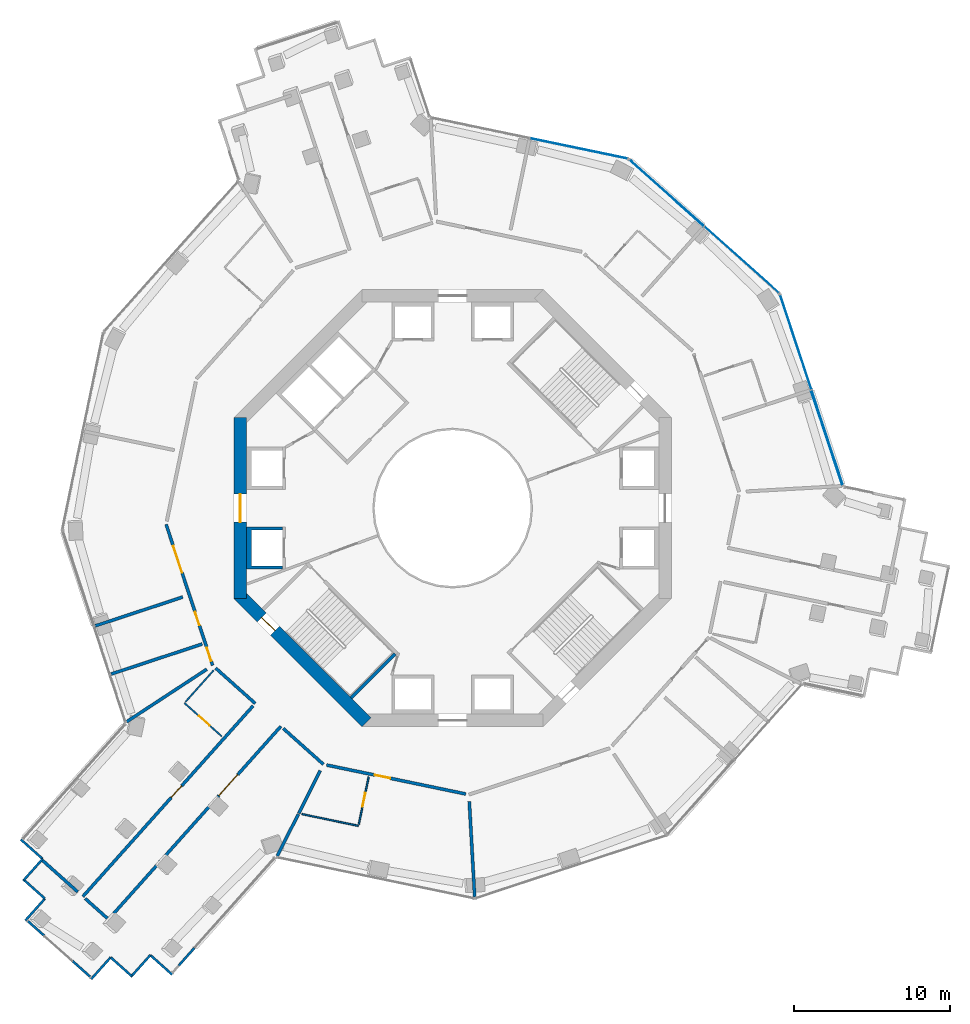
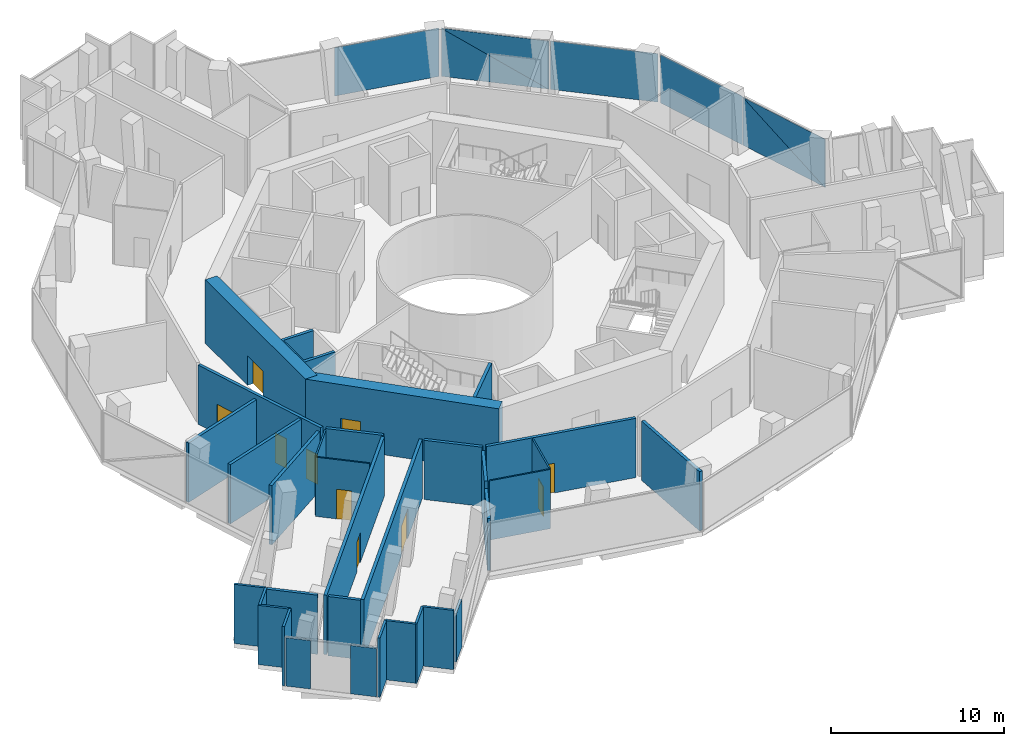
# One storey, part 14 of 21: 33 walls, 10 doors, 7 plates, 10 openings, 3 elements without a shape of their own.
"""IFC4 building model written with IfcOpenShell, lengths in metres."""

import ifcopenshell
import ifcopenshell.guid

model = None  # the IFC model being written
_history = None  # IfcOwnerHistory: only IFC2X3 demands one
_inside = {}  # id of a spatial element -> (the spatial element, [elements in it])
_under = {}  # id of a project, library or spatial element -> (it, [spatial elements below it])
_declared = {}  # id of a project -> (the project, [libraries it declares])
_typed = {}  # id of a type object -> (the type object, [elements of that type])
_made_of = {}  # id of a material, layer set ... -> (it, [elements and type objects made of it])


def new_model(schema):
    """Start an empty IFC model of exactly this schema.

    Asked for "IFC4X3", IfcOpenShell would pick the latest addendum, in which some entities
    have other attributes; the version numbers below select the first issue.
    IFC2X3 requires an IfcOwnerHistory on every rooted entity: one is made here for all.
    """
    global model, _history
    if schema == "IFC4X3":
        model = ifcopenshell.file(schema_version=(4, 3, 0, 0))
    else:
        model = ifcopenshell.file(schema=schema)
    _inside.clear()
    _under.clear()
    _declared.clear()
    _typed.clear()
    _made_of.clear()
    _history = None
    if model.schema == "IFC2X3":
        org = make("IfcOrganization", Name="unknown")
        user = make(
            "IfcPersonAndOrganization",
            ThePerson=make("IfcPerson", FamilyName="unknown"),
            TheOrganization=org,
        )
        app = make(
            "IfcApplication",
            ApplicationDeveloper=org,
            Version="unknown",
            ApplicationFullName="unknown",
            ApplicationIdentifier="unknown",
        )
        _history = make(
            "IfcOwnerHistory",
            OwningUser=user,
            OwningApplication=app,
            ChangeAction="ADDED",
            CreationDate=0,
        )
    return model


def make(cls, **values):
    """One entity of the class cls with the attributes given. An attribute that is None is left unset."""
    return model.create_entity(
        cls, **{name: value for name, value in values.items() if value is not None}
    )


def rooted(cls, **values):
    """An entity with a GlobalId (a new one), such as an element, a storey or a relation."""
    return make(cls, GlobalId=ifcopenshell.guid.new(), OwnerHistory=_history, **values)


def si_unit(unit_type, name, prefix=None):
    """IfcSIUnit, for example si_unit("LENGTHUNIT", "METRE", prefix="MILLI")."""
    return make("IfcSIUnit", UnitType=unit_type, Prefix=prefix, Name=name)


def assignment(units):
    """IfcUnitAssignment: the units of a project."""
    return None if units is None else make("IfcUnitAssignment", Units=units)


def point(xyz):
    """IfcCartesianPoint."""
    return None if xyz is None else make("IfcCartesianPoint", Coordinates=xyz)


def direction(xyz):
    """IfcDirection."""
    return None if xyz is None else make("IfcDirection", DirectionRatios=xyz)


def frame(location, z_axis=None, x_axis=None):
    """IfcAxis2Placement3D, a coordinate frame: its origin and axes. An axis left out is left unset."""
    return make(
        "IfcAxis2Placement3D",
        Location=point(location),
        Axis=direction(z_axis),
        RefDirection=direction(x_axis),
    )


def frame_2d(location, x_axis=None):
    """IfcAxis2Placement2D, a coordinate frame in the plane: its origin and x axis."""
    return make(
        "IfcAxis2Placement2D", Location=point(location), RefDirection=direction(x_axis)
    )


def origin():
    """The frame at (0, 0, 0) with its axes left unset."""
    return frame((0.0, 0.0, 0.0))


def origin_2d():
    """The frame at (0, 0) in the plane with its x axis left unset."""
    return frame_2d((0.0, 0.0))


def place(relative_to, where):
    """IfcLocalPlacement: puts the frame where relative to a parent placement (None: the world)."""
    return make(
        "IfcLocalPlacement", PlacementRelTo=relative_to, RelativePlacement=where
    )


def context(
    kind, dimensions, precision=None, world=None, true_north=None, identifier=None
):
    """IfcGeometricRepresentationContext, for example the 3D "Model" context."""
    return make(
        "IfcGeometricRepresentationContext",
        ContextIdentifier=identifier,
        ContextType=kind,
        CoordinateSpaceDimension=dimensions,
        Precision=precision,
        WorldCoordinateSystem=world,
        TrueNorth=true_north,
    )


def subcontext(parent, identifier, kind, view, scale=None):
    """IfcGeometricRepresentationSubContext, for example "Body" below "Model"."""
    return make(
        "IfcGeometricRepresentationSubContext",
        ContextIdentifier=identifier,
        ContextType=kind,
        ParentContext=parent,
        TargetScale=scale,
        TargetView=view,
    )


def project(units=None, contexts=None):
    """IfcProject with its units and contexts."""
    return rooted(
        "IfcProject",
        Name="project",
        RepresentationContexts=contexts,
        UnitsInContext=assignment(units),
    )


def spatial(cls, under=None, at=None, **own):
    """A site, building, storey or space (cls), placed at a placement, below another one or the project."""
    s = rooted(cls, ObjectPlacement=at, **own)
    if under is not None:
        _under.setdefault(under.id(), (under, []))[1].append(s)
    return s


def polyline(points):
    """IfcPolyline through the points."""
    return make("IfcPolyline", Points=[point(p) for p in points])


def profile(cls, at=None, kind="AREA", **sizes):
    """A parametric profile (cls). Its sizes go by their IFC names, for example OverallWidth=200.0."""
    return make(cls, ProfileType=kind, Position=at, **sizes)


def rectangle(**sizes):
    """IfcRectangleProfileDef."""
    return profile("IfcRectangleProfileDef", **sizes)


def outline(outer, holes=None, kind="AREA"):
    """IfcArbitraryClosedProfileDef: a profile drawn as a closed curve; with holes, ...WithVoids."""
    if holes is None:
        return make("IfcArbitraryClosedProfileDef", ProfileType=kind, OuterCurve=outer)
    return make(
        "IfcArbitraryProfileDefWithVoids",
        ProfileType=kind,
        OuterCurve=outer,
        InnerCurves=holes,
    )


def extrude(swept, where, along, depth):
    """IfcExtrudedAreaSolid: the profile swept, set in the frame where, extruded along a direction by depth."""
    return make(
        "IfcExtrudedAreaSolid",
        SweptArea=swept,
        Position=where,
        ExtrudedDirection=direction(along),
        Depth=depth,
    )


def shape(context_of_items, identifier, shape_type, items):
    """IfcShapeRepresentation: the items that make up one representation, for example the "Body"."""
    return make(
        "IfcShapeRepresentation",
        ContextOfItems=context_of_items,
        RepresentationIdentifier=identifier,
        RepresentationType=shape_type,
        Items=items,
    )


def material(Name=None, Category=None):
    """IfcMaterial."""
    return make("IfcMaterial", Name=Name, Category=Category)


def layer(
    of_material, thickness, ventilated=None, Name=None, Category=None, Priority=None
):
    """IfcMaterialLayer: one layer of a wall or slab, of a material (None: an air gap)."""
    return make(
        "IfcMaterialLayer",
        Material=of_material,
        LayerThickness=thickness,
        IsVentilated=ventilated,
        Name=Name,
        Category=Category,
        Priority=Priority,
    )


def layer_set(layers, Name=None):
    """IfcMaterialLayerSet."""
    return make("IfcMaterialLayerSet", MaterialLayers=layers, LayerSetName=Name)


def made_of(thing, what):
    """Note that an element or type object is made of a material, layer set ...; save() writes the relation."""
    if what is not None:
        _made_of.setdefault(what.id(), (what, []))[1].append(thing)
    return thing


def type_object(cls, material=None, **own):
    """A type object (cls), such as IfcWallType, which elements share."""
    return made_of(rooted(cls, **own), material)


def element(
    cls,
    number,
    at=None,
    inside=None,
    cuts=None,
    type_object=None,
    material=None,
    context=None,
    identifier="Body",
    shape_type=None,
    held_by="IfcProductDefinitionShape",
    body=None,
    shapes=None,
    **own,
):
    """One element of the class cls, such as IfcWall. Its Tag is "e" and its number.

    at: its placement. inside: the storey or other place that contains it. cuts: it is an
    opening in that element (IfcRelVoidsElement). A single representation is given by context,
    identifier, shape_type and body (its items); several are given by shapes. held_by: the class
    of the entity that holds the representations. save() writes the other relations.
    """
    e = rooted(cls, Tag="e%d" % number, ObjectPlacement=at, **own)
    if body is not None:
        shapes = [shape(context, identifier, shape_type, body)]
    if shapes is not None:
        e.Representation = make(held_by, Representations=shapes)
    if inside is not None:
        _inside.setdefault(inside.id(), (inside, []))[1].append(e)
    if cuts is not None:
        rooted(
            "IfcRelVoidsElement", RelatingBuildingElement=cuts, RelatedOpeningElement=e
        )
    if type_object is not None:
        _typed.setdefault(type_object.id(), (type_object, []))[1].append(e)
    return made_of(e, material)


def fill(opening, filler):
    """IfcRelFillsElement: the door or window that sits in an opening."""
    return rooted(
        "IfcRelFillsElement",
        RelatingOpeningElement=opening,
        RelatedBuildingElement=filler,
    )


def aggregate(whole, parts):
    """IfcRelAggregates: a whole, such as a stair, and the parts it consists of."""
    return rooted("IfcRelAggregates", RelatingObject=whole, RelatedObjects=parts)


def save(model, path):
    """Write the relations noted so far, then the file.

    IfcRelAggregates (storeys below a building ...), IfcRelContainedInSpatialStructure (elements
    in a storey), IfcRelDefinesByType, IfcRelAssociatesMaterial and IfcRelDeclares: one each for
    every whole, place, type object, material and project.
    """
    for whole, parts in _under.values():
        aggregate(whole, parts)
    for where, things in _inside.values():
        rooted(
            "IfcRelContainedInSpatialStructure",
            RelatedElements=things,
            RelatingStructure=where,
        )
    for kind, things in _typed.values():
        rooted("IfcRelDefinesByType", RelatedObjects=things, RelatingType=kind)
    for what, things in _made_of.values():
        rooted("IfcRelAssociatesMaterial", RelatedObjects=things, RelatingMaterial=what)
    for by, libraries in _declared.values():
        rooted("IfcRelDeclares", RelatingContext=by, RelatedDefinitions=libraries)
    model.write(path)


model = new_model("IFC4")

# Units and contexts
model_context = context("Model", 3, precision=1e-05, world=origin(), true_north=direction((0.0, 1.0)))
body_context = subcontext(model_context, "Body", "Model", "MODEL_VIEW")
ifc_project = project(units=[si_unit("LENGTHUNIT", "METRE"), si_unit("AREAUNIT", "SQUARE_METRE"), si_unit("VOLUMEUNIT", "CUBIC_METRE"), si_unit("PLANEANGLEUNIT", "RADIAN"), si_unit("MASSUNIT", "GRAM", prefix="KILO")], contexts=[model_context])

# Site, building, storey
site_placement = place(None, origin())
site = spatial("IfcSite", under=ifc_project, at=site_placement, CompositionType="ELEMENT")
building_placement = place(site_placement, origin())
building = spatial("IfcBuilding", under=site, at=building_placement, Name="Verdalira Terraces Hotel", CompositionType="ELEMENT")
storey_placement = place(building_placement, frame((0.0, 0.0, 107.0)))
storey = spatial("IfcBuildingStorey", under=building, at=storey_placement, Name="L25", CompositionType="ELEMENT", Elevation=107.0)

# Curtain wall, plates
ifc_material_1 = material(Name="Clear glass", Category="glass")
ifc_layer_1 = layer(ifc_material_1, 0.179931640625)
ifc_layer_set_1 = layer_set([ifc_layer_1], Name="CW4 curtain wall")
curtain_wall_type = type_object("IfcCurtainWallType", Name="CW4 curtain wall", PredefinedType="NOTDEFINED", material=ifc_layer_set_1)
curtain_wall_1_placement = place(storey_placement, origin())
curtain_wall_1 = element("IfcCurtainWall", 1, at=curtain_wall_1_placement, inside=storey, type_object=curtain_wall_type, Name="CW4 curtain wall L25 edge 39", PredefinedType="NOTDEFINED")
ifc_material_2 = material(Name="Clear glass", Category="glass")
ifc_layer_2 = layer(ifc_material_2, 0.035888671875)
ifc_layer_set_2 = layer_set([ifc_layer_2], Name="CW4 glass unit 36")
plate_type = type_object("IfcPlateType", Name="CW4 glass unit 36", PredefinedType="CURTAIN_PANEL", material=ifc_layer_set_2)
plate_1_placement = place(storey_placement, frame((23.974854, 4.505371, 1.709961), z_axis=(0.949753769, 0.312998048, 0.0), x_axis=(-0.312998048, 0.949753769, 0.0)))
plate_1 = element("IfcPlate", 2, at=plate_1_placement, type_object=plate_type, Name="CW4 glass unit", PredefinedType="CURTAIN_PANEL", context=body_context, shape_type="SweptSolid", body=[
    extrude(outline(polyline([(-3.192627, -1.709961), (3.192627, -1.709961), (3.192627, 1.709961), (-3.192627, -1.709961)])), origin(), (0.0, 0.0, 1.0), 0.035889),
])
plate_2_placement = place(storey_placement, frame((23.939697, 4.493652, 1.709961), z_axis=(0.949753769, 0.312998048, 0.0), x_axis=(-0.312998048, 0.949753769, 0.0)))
plate_2 = element("IfcPlate", 3, at=plate_2_placement, type_object=plate_type, Name="CW4 glass unit", PredefinedType="CURTAIN_PANEL", context=body_context, shape_type="SweptSolid", body=[
    extrude(outline(polyline([(-3.192627, -1.709961), (3.192627, 1.709961), (-3.192627, 1.709961), (-3.192627, -1.709961)])), origin(), (0.0, 0.0, 1.0), 0.035889),
])
plate_3_placement = place(storey_placement, frame((21.976562, 10.626221, 0.0), z_axis=(0.0, 0.0, 1.0), x_axis=(-0.312998048, 0.949753769, 0.0)))
plate_3 = element("IfcPlate", 4, at=plate_3_placement, type_object=plate_type, Name="CW4 glass unit", PredefinedType="CURTAIN_PANEL", context=body_context, shape_type="SweptSolid", body=[
    extrude(rectangle(XDim=6.362305, YDim=0.035889, at=origin_2d()), origin(), (0.0, 0.0, 1.0), 3.419922),
])
aggregate(curtain_wall_1, [plate_1, plate_2, plate_3])

curtain_wall_2_placement = place(storey_placement, origin())
curtain_wall_2 = element("IfcCurtainWall", 5, at=curtain_wall_2_placement, inside=storey, type_object=curtain_wall_type, Name="CW4 curtain wall L25 edge 40", PredefinedType="NOTDEFINED")
plate_4_placement = place(storey_placement, frame((18.513672, 15.910156, 0.0), z_axis=(0.0, 0.0, 1.0), x_axis=(-0.745941145, 0.666011867, 0.0)))
plate_4 = element("IfcPlate", 6, at=plate_4_placement, type_object=plate_type, Name="CW4 glass unit", PredefinedType="CURTAIN_PANEL", context=body_context, shape_type="SweptSolid", body=[
    extrude(rectangle(XDim=6.362305, YDim=0.035889, at=origin_2d()), origin(), (0.0, 0.0, 1.0), 3.419922),
])
plate_5_placement = place(storey_placement, frame((13.707275, 20.17749, 1.709961), z_axis=(0.666011867, 0.745941145, 0.0), x_axis=(-0.745941145, 0.666011867, 0.0)))
plate_5 = element("IfcPlate", 7, at=plate_5_placement, type_object=plate_type, Name="CW4 glass unit", PredefinedType="CURTAIN_PANEL", context=body_context, shape_type="SweptSolid", body=[
    extrude(outline(polyline([(-3.181152, -1.709961), (3.181152, -1.709961), (3.181152, 1.709961), (-3.181152, -1.709961)])), origin(), (0.0, 0.0, 1.0), 0.035889),
])
plate_6_placement = place(storey_placement, frame((13.682617, 20.149902, 1.709961), z_axis=(0.666011867, 0.745941145, 0.0), x_axis=(-0.745941145, 0.666011867, 0.0)))
plate_6 = element("IfcPlate", 8, at=plate_6_placement, type_object=plate_type, Name="CW4 glass unit", PredefinedType="CURTAIN_PANEL", context=body_context, shape_type="SweptSolid", body=[
    extrude(outline(polyline([(-3.181152, -1.709961), (3.181152, 1.709961), (-3.181152, 1.709961), (-3.181152, -1.709961)])), origin(), (0.0, 0.0, 1.0), 0.035889),
])
aggregate(curtain_wall_2, [plate_4, plate_5, plate_6])

# Curtain wall, plate
curtain_wall_3_placement = place(storey_placement, origin())
curtain_wall_3 = element("IfcCurtainWall", 9, at=curtain_wall_3_placement, inside=storey, type_object=curtain_wall_type, Name="CW4 curtain wall L25 edge 41", PredefinedType="NOTDEFINED")
plate_7_placement = place(storey_placement, frame((8.078125, 23.0354, 0.0), z_axis=(0.0, 0.0, 1.0), x_axis=(-0.979009915, 0.203812624, 0.0)))
plate_7 = element("IfcPlate", 10, at=plate_7_placement, type_object=plate_type, Name="CW4 glass unit", PredefinedType="CURTAIN_PANEL", context=body_context, shape_type="SweptSolid", body=[
    extrude(rectangle(XDim=6.362305, YDim=0.035889, at=origin_2d()), origin(), (0.0, 0.0, 1.0), 3.419922),
])
aggregate(curtain_wall_3, [plate_7])

# Wall
ifc_material_3 = material(Name="Moisture-resistant gypsum board partition")
ifc_layer_3 = layer(ifc_material_3, 0.10009765625)
ifc_layer_set_3 = layer_set([ifc_layer_3], Name="Bathroom partition 100 mm")
wall_type_1 = type_object("IfcWallType", Name="Bathroom partition 100 mm", PredefinedType="PARTITIONING", material=ifc_layer_set_3)
wall_1_placement = place(storey_placement, frame((-17.115479, -12.412842, 0.0), z_axis=(0.0, 0.0, 1.0), x_axis=(0.666012176, 0.74594087, 0.0)))
element("IfcWall", 11, at=wall_1_placement, inside=storey, type_object=wall_type_1, Name="Bathroom partition", PredefinedType="PARTITIONING", context=body_context, shape_type="SweptSolid", body=[
    extrude(rectangle(XDim=2.700195, YDim=0.100098, at=frame_2d((1.350098, 0.0))), origin(), (0.0, 0.0, 1.0), 4.189941),
])

# Wall, opening, door
wall_2_placement = place(storey_placement, frame((-17.181885, -12.487305, 0.0), z_axis=(0.0, 0.0, 1.0), x_axis=(0.745917356, -0.666038511, 0.0)))
wall_2 = element("IfcWall", 12, at=wall_2_placement, inside=storey, type_object=wall_type_1, Name="Bathroom partition", PredefinedType="PARTITIONING", context=body_context, shape_type="SweptSolid", body=[
    extrude(rectangle(XDim=3.199951, YDim=0.100098, at=frame_2d((1.600098, 0.0))), origin(), (0.0, 0.0, 1.0), 4.189941),
])
opening_1_placement = place(wall_2_placement, frame((1.25, 0.0, 0.0)))
opening_1 = element("IfcOpeningElement", 13, at=opening_1_placement, cuts=wall_2, Name="Opening L25-108", PredefinedType="OPENING", context=body_context, shape_type="SweptSolid", body=[
    extrude(rectangle(XDim=0.899902, YDim=2.100098, at=frame_2d((0.449951, 1.050049))), frame((0.0, 0.060059, 0.0), z_axis=(0.0, -1.0, 0.0), x_axis=(1.0, 0.0, 0.0)), (0.0, 0.0, 1.0), 0.120117),
])
ifc_material_4 = material(Name="Timber door", Category="wood")
door_type_1 = type_object("IfcDoorType", Name="Bathroom door 900 x 2100", OperationType="NOTDEFINED", PredefinedType="DOOR", material=ifc_material_4)
door_1_placement = place(opening_1_placement, origin())
door_1 = element("IfcDoor", 14, at=door_1_placement, inside=storey, type_object=door_type_1, Name="Bathroom door 2505", OperationType="SINGLE_SWING_LEFT", OverallHeight=2.10009765625, OverallWidth=0.89990234375, PredefinedType="DOOR", context=body_context, shape_type="SweptSolid", body=[
    extrude(rectangle(XDim=0.899902, YDim=2.100098, at=frame_2d((0.449951, 1.050049))), frame((0.0, 0.024902, 0.0), z_axis=(0.0, -1.0, 0.0), x_axis=(1.0, 0.0, 0.0)), (0.0, 0.0, 1.0), 0.050049),
])
fill(opening_1, door_1)

# Wall
wall_3_placement = place(storey_placement, frame((-6.033691, -20.355713, 0.0), z_axis=(0.0, 0.0, 1.0), x_axis=(-0.979011665, 0.203804219, 0.0)))
element("IfcWall", 15, at=wall_3_placement, inside=storey, type_object=wall_type_1, Name="Bathroom partition", PredefinedType="PARTITIONING", context=body_context, shape_type="SweptSolid", body=[
    extrude(rectangle(XDim=3.703857, YDim=0.100098, at=frame_2d((1.852051, 0.0))), origin(), (0.0, 0.0, 1.0), 4.189941),
])

# Wall, opening, door
wall_4_placement = place(storey_placement, frame((-6.013428, -20.257812, 0.0), z_axis=(0.0, 0.0, 1.0), x_axis=(0.203819018, 0.979008584, 0.0)))
wall_4 = element("IfcWall", 16, at=wall_4_placement, inside=storey, type_object=wall_type_1, Name="Bathroom partition", PredefinedType="PARTITIONING", context=body_context, shape_type="SweptSolid", body=[
    extrude(rectangle(XDim=3.100098, YDim=0.100098, at=frame_2d((1.550049, 0.0))), origin(), (0.0, 0.0, 1.0), 4.189941),
])
opening_2_placement = place(wall_4_placement, frame((1.149902, 0.0, 0.0)))
opening_2 = element("IfcOpeningElement", 17, at=opening_2_placement, cuts=wall_4, Name="Opening L25-111", PredefinedType="OPENING", context=body_context, shape_type="SweptSolid", body=[
    extrude(rectangle(XDim=0.899902, YDim=2.100098, at=frame_2d((0.449951, 1.050049))), frame((0.0, 0.060059, 0.0), z_axis=(0.0, -1.0, 0.0), x_axis=(1.0, 0.0, 0.0)), (0.0, 0.0, 1.0), 0.120117),
])
door_2_placement = place(opening_2_placement, origin())
door_2 = element("IfcDoor", 18, at=door_2_placement, inside=storey, type_object=door_type_1, Name="Bathroom door 2507", OperationType="SINGLE_SWING_LEFT", OverallHeight=2.10009765625, OverallWidth=0.89990234375, PredefinedType="DOOR", context=body_context, shape_type="SweptSolid", body=[
    extrude(rectangle(XDim=0.899902, YDim=2.100098, at=frame_2d((0.449951, 1.050049))), frame((0.0, 0.024902, 0.0), z_axis=(0.0, -1.0, 0.0), x_axis=(1.0, 0.0, 0.0)), (0.0, 0.0, 1.0), 0.050049),
])
fill(opening_2, door_2)

# Walls
ifc_material_5 = material(Name="Concrete C50", Category="concrete")
ifc_layer_4 = layer(ifc_material_5, 0.199951171875)
ifc_layer_set_4 = layer_set([ifc_layer_4], Name="Core RC wall 200 C50")
wall_type_2 = type_object("IfcWallType", Name="Core RC wall 200 C50", PredefinedType="SOLIDWALL", material=ifc_layer_set_4)
wall_5_placement = place(storey_placement, origin())
element("IfcWall", 19, at=wall_5_placement, inside=storey, type_object=wall_type_2, Name="L25 shaft wall W2", PredefinedType="SOLIDWALL", context=body_context, shape_type="SweptSolid", body=[
    extrude(outline(polyline([(-13.199951, -3.899902), (-13.199951, -1.199951), (-10.899902, -1.199951), (-10.899902, -1.399902), (-12.899902, -1.399902), (-12.899902, -3.699951), (-10.899902, -3.699951), (-10.899902, -3.899902), (-13.199951, -3.899902)])), origin(), (0.0, 0.0, 1.0), 4.189941),
])
wall_6_placement = place(storey_placement, frame((-3.677002, -9.33374, 0.0), z_axis=(0.0, 0.0, 1.0), x_axis=(-0.707106781, -0.707106781, 0.0)))
element("IfcWall", 20, at=wall_6_placement, inside=storey, type_object=wall_type_2, Name="L25 stair ST2 end wall 2", PredefinedType="SOLIDWALL", context=body_context, shape_type="SweptSolid", body=[
    extrude(rectangle(XDim=4.0, YDim=0.199951, at=frame_2d((2.0, 0.0))), origin(), (0.0, 0.0, 1.0), 4.189941),
])

# Wall, opening, door
ifc_material_6 = material(Name="Concrete C70", Category="concrete")
ifc_layer_5 = layer(ifc_material_6, 0.800048828125)
ifc_layer_set_5 = layer_set([ifc_layer_5], Name="Core wall 800 C70")
wall_type_3 = type_object("IfcWallType", Name="Core wall 800 C70", PredefinedType="SHEAR", material=ifc_layer_set_5)
wall_7_placement = place(storey_placement, frame((-13.600098, 5.799072, 0.0), z_axis=(0.0, 0.0, 1.0), x_axis=(0.0, -1.0, 0.0)))
wall_7 = element("IfcWall", 21, at=wall_7_placement, inside=storey, type_object=wall_type_3, Name="Core wall CW-L25-5", PredefinedType="SHEAR", context=body_context, shape_type="SweptSolid", body=[
    extrude(rectangle(XDim=11.598145, YDim=0.800049, at=frame_2d((5.799072, 0.0))), origin(), (0.0, 0.0, 1.0), 4.5),
])
opening_3_placement = place(wall_7_placement, frame((4.898926, 0.0, 0.0)))
opening_3 = element("IfcOpeningElement", 22, at=opening_3_placement, cuts=wall_7, Name="Opening L25-814", PredefinedType="OPENING", context=body_context, shape_type="SweptSolid", body=[
    extrude(rectangle(XDim=1.800049, YDim=2.100098, at=frame_2d((0.899902, 1.050049))), frame((0.0, 0.409912, 0.0), z_axis=(0.0, -1.0, 0.0), x_axis=(1.0, 0.0, 0.0)), (0.0, 0.0, 1.0), 0.820068),
])
ifc_material_7 = material(Name="Steel fire door", Category="steel")
door_type_2 = type_object("IfcDoorType", Name="Core entry door pair 1800 x 2100", OperationType="NOTDEFINED", PredefinedType="DOOR", material=ifc_material_7)
door_3_placement = place(opening_3_placement, origin())
door_3 = element("IfcDoor", 23, at=door_3_placement, inside=storey, type_object=door_type_2, Name="Core entry door L25 4", OperationType="DOUBLE_DOOR_SINGLE_SWING", OverallHeight=2.10009765625, OverallWidth=1.800048828125, PredefinedType="DOOR", context=body_context, shape_type="SweptSolid", body=[
    extrude(rectangle(XDim=1.800049, YDim=2.100098, at=frame_2d((0.899902, 1.050049))), frame((0.0, 0.024902, 0.0), z_axis=(0.0, -1.0, 0.0), x_axis=(1.0, 0.0, 0.0)), (0.0, 0.0, 1.0), 0.050049),
])
fill(opening_3, door_3)

wall_8_placement = place(storey_placement, frame((-13.717285, -5.516113, 0.0), z_axis=(0.0, 0.0, 1.0), x_axis=(0.707106781, -0.707106781, 0.0)))
wall_8 = element("IfcWall", 24, at=wall_8_placement, inside=storey, type_object=wall_type_3, Name="Core wall CW-L25-6", PredefinedType="SHEAR", context=body_context, shape_type="SweptSolid", body=[
    extrude(rectangle(XDim=11.598145, YDim=0.800049, at=frame_2d((5.799072, 0.0))), origin(), (0.0, 0.0, 1.0), 4.5),
])
opening_4_placement = place(wall_8_placement, frame((2.099121, 0.0, 0.0)))
opening_4 = element("IfcOpeningElement", 25, at=opening_4_placement, cuts=wall_8, Name="Opening L25-817", PredefinedType="OPENING", context=body_context, shape_type="SweptSolid", body=[
    extrude(rectangle(XDim=1.199951, YDim=2.100098, at=frame_2d((0.600098, 1.050049))), frame((0.0, 0.409912, 0.0), z_axis=(0.0, -1.0, 0.0), x_axis=(1.0, 0.0, 0.0)), (0.0, 0.0, 1.0), 0.820068),
])
ifc_material_8 = material(Name="Steel fire door", Category="steel")
door_type_3 = type_object("IfcDoorType", Name="Stair door 1200 x 2100", OperationType="NOTDEFINED", PredefinedType="DOOR", material=ifc_material_8)
door_4_placement = place(opening_4_placement, origin())
door_4 = element("IfcDoor", 26, at=door_4_placement, inside=storey, type_object=door_type_3, Name="Stair exit door ST2 L25", OperationType="SINGLE_SWING_LEFT", OverallHeight=2.10009765625, OverallWidth=1.199951171875, PredefinedType="DOOR", context=body_context, shape_type="SweptSolid", body=[
    extrude(rectangle(XDim=1.199951, YDim=2.100098, at=frame_2d((0.600098, 1.050049))), frame((0.0, 0.024902, 0.0), z_axis=(0.0, -1.0, 0.0), x_axis=(1.0, 0.0, 0.0)), (0.0, 0.0, 1.0), 0.050049),
])
fill(opening_4, door_4)

# Walls
ifc_material_9 = material(Name="Fire-rated gypsum board wall")
ifc_layer_6 = layer(ifc_material_9, 0.199951171875)
ifc_layer_set_6 = layer_set([ifc_layer_6], Name="Demising wall 200 mm")
wall_type_4 = type_object("IfcWallType", Name="Demising wall 200 mm", PredefinedType="SOLIDWALL", material=ifc_layer_set_6)
wall_9_placement = place(storey_placement, frame((-26.260498, -22.580322, 0.0), z_axis=(0.0, 0.0, 1.0), x_axis=(0.745950636, -0.666001238, 0.0)))
element("IfcWall", 27, at=wall_9_placement, inside=storey, type_object=wall_type_4, Name="Demising wall", PredefinedType="SOLIDWALL", context=body_context, shape_type="SweptSolid", body=[
    extrude(rectangle(XDim=3.004883, YDim=0.199951, at=frame_2d((1.502441, 0.0))), origin(), (0.0, 0.0, 1.0), 4.189941),
])
wall_10_placement = place(storey_placement, frame((-8.479248, -16.815186, 0.0), z_axis=(0.0, 0.0, 1.0), x_axis=(-0.450228455, -0.892913399, 0.0)))
element("IfcWall", 28, at=wall_10_placement, inside=storey, type_object=wall_type_4, Name="Demising wall", PredefinedType="SOLIDWALL", context=body_context, shape_type="SweptSolid", body=[
    extrude(rectangle(XDim=3.074707, YDim=0.199951, at=frame_2d((1.537354, 0.0))), origin(), (0.0, 0.0, 1.0), 4.189941),
])
wall_11_placement = place(storey_placement, frame((1.410889, -24.924072, 0.0), z_axis=(0.0, 0.0, 1.0), x_axis=(-0.056497587, 0.998402736, 0.0)))
element("IfcWall", 29, at=wall_11_placement, inside=storey, type_object=wall_type_4, Name="Demising wall", PredefinedType="SOLIDWALL", context=body_context, shape_type="SweptSolid", body=[
    extrude(rectangle(XDim=6.131836, YDim=0.199951, at=frame_2d((3.065918, 0.0))), origin(), (0.0, 0.0, 1.0), 4.189941),
])
ifc_material_10 = material(Name="Fire-rated gypsum board wall")
ifc_layer_7 = layer(ifc_material_10, 0.199951171875)
ifc_layer_set_7 = layer_set([ifc_layer_7], Name="Demising wall 200 mm to beam soffit")
wall_type_5 = type_object("IfcWallType", Name="Demising wall 200 mm to beam soffit", PredefinedType="SOLIDWALL", material=ifc_layer_set_7)
wall_12_placement = place(storey_placement, frame((-9.884277, -19.601562, 0.0), z_axis=(0.0, 0.0, 1.0), x_axis=(-0.450291801, -0.892881456, 0.0)))
element("IfcWall", 30, at=wall_12_placement, inside=storey, type_object=wall_type_5, Name="Demising wall", PredefinedType="SOLIDWALL", context=body_context, shape_type="SweptSolid", body=[
    extrude(rectangle(XDim=3.01123, YDim=0.199951, at=frame_2d((1.505615, 0.0))), origin(), (0.0, 0.0, 1.0), 3.689941),
])
ifc_material_11 = material(Name="Fire-rated gypsum board wall")
ifc_layer_8 = layer(ifc_material_11, 0.199951171875)
ifc_layer_set_8 = layer_set([ifc_layer_8], Name="Guest corridor wall 200 mm")
wall_type_6 = type_object("IfcWallType", Name="Guest corridor wall 200 mm", PredefinedType="SOLIDWALL", material=ifc_layer_set_8)
wall_13_placement = place(storey_placement, frame((-23.539307, -25.01001, 0.0), z_axis=(0.0, 0.0, 1.0), x_axis=(0.745939942, -0.666013216, 0.0)))
element("IfcWall", 31, at=wall_13_placement, inside=storey, type_object=wall_type_6, Name="Guest corridor wall", PredefinedType="SOLIDWALL", context=body_context, shape_type="SweptSolid", body=[
    extrude(rectangle(XDim=1.899902, YDim=0.199951, at=frame_2d((0.949951, 0.0))), origin(), (0.0, 0.0, 1.0), 4.189941),
])

# Wall, opening, door
wall_14_placement = place(storey_placement, frame((-23.687012, -24.878174, 0.0), z_axis=(0.0, 0.0, 1.0), x_axis=(0.666012214, 0.745940836, 0.0)))
wall_14 = element("IfcWall", 32, at=wall_14_placement, inside=storey, type_object=wall_type_6, Name="Guest corridor wall", PredefinedType="SOLIDWALL", context=body_context, shape_type="SweptSolid", body=[
    extrude(rectangle(XDim=16.375, YDim=0.199951, at=frame_2d((8.1875, 0.0))), origin(), (0.0, 0.0, 1.0), 4.189941),
])
opening_5_placement = place(wall_14_placement, frame((8.5, 0.0, 0.0)))
opening_5 = element("IfcOpeningElement", 33, at=opening_5_placement, cuts=wall_14, Name="Opening L25-107", PredefinedType="OPENING", context=body_context, shape_type="SweptSolid", body=[
    extrude(rectangle(XDim=1.0, YDim=2.100098, at=frame_2d((0.5, 1.050049))), frame((0.0, 0.109863, 0.0), z_axis=(0.0, -1.0, 0.0), x_axis=(1.0, 0.0, 0.0)), (0.0, 0.0, 1.0), 0.219971),
])
ifc_material_12 = material(Name="Timber fire door", Category="wood")
door_type_4 = type_object("IfcDoorType", Name="Guest entry door 1000 x 2100", OperationType="NOTDEFINED", PredefinedType="DOOR", material=ifc_material_12)
door_5_placement = place(opening_5_placement, origin())
door_5 = element("IfcDoor", 34, at=door_5_placement, inside=storey, type_object=door_type_4, Name="Guest entry door 2505", OperationType="SINGLE_SWING_LEFT", OverallHeight=2.10009765625, OverallWidth=1.0, PredefinedType="DOOR", context=body_context, shape_type="SweptSolid", body=[
    extrude(rectangle(XDim=1.0, YDim=2.100098, at=frame_2d((0.5, 1.050049))), frame((0.0, 0.024902, 0.0), z_axis=(0.0, -1.0, 0.0), x_axis=(1.0, 0.0, 0.0)), (0.0, 0.0, 1.0), 0.050049),
])
fill(opening_5, door_5)

# Wall, openings, doors
wall_15_placement = place(storey_placement, frame((-15.376709, -10.077637, 0.0), z_axis=(0.0, 0.0, 1.0), x_axis=(-0.312993376, 0.949755309, 0.0)))
wall_15 = element("IfcWall", 35, at=wall_15_placement, inside=storey, type_object=wall_type_6, Name="Guest corridor wall", PredefinedType="SOLIDWALL", context=body_context, shape_type="SweptSolid", body=[
    extrude(rectangle(XDim=9.516113, YDim=0.199951, at=frame_2d((4.758057, 0.0))), origin(), (0.0, 0.0, 1.0), 4.189941),
])
opening_6_placement = place(wall_15_placement, frame((6.258301, 0.0, 0.0)))
opening_6 = element("IfcOpeningElement", 36, at=opening_6_placement, cuts=wall_15, Name="Opening L25-106", PredefinedType="OPENING", context=body_context, shape_type="SweptSolid", body=[
    extrude(rectangle(XDim=1.800049, YDim=2.100098, at=frame_2d((0.899902, 1.050049))), frame((0.0, 0.109863, 0.0), z_axis=(0.0, -1.0, 0.0), x_axis=(1.0, 0.0, 0.0)), (0.0, 0.0, 1.0), 0.219971),
])
opening_7_placement = place(wall_15_placement, frame((2.708252, 0.0, 0.0)))
opening_7 = element("IfcOpeningElement", 37, at=opening_7_placement, cuts=wall_15, Name="Opening L25-125", PredefinedType="OPENING", context=body_context, shape_type="SweptSolid", body=[
    extrude(rectangle(XDim=0.899902, YDim=2.100098, at=frame_2d((0.449951, 1.050049))), frame((0.0, 0.109863, 0.0), z_axis=(0.0, -1.0, 0.0), x_axis=(1.0, 0.0, 0.0)), (0.0, 0.0, 1.0), 0.219971),
])
opening_8_placement = place(wall_15_placement, frame((0.300049, 0.0, 0.0)))
opening_8 = element("IfcOpeningElement", 38, at=opening_8_placement, cuts=wall_15, Name="Opening L25-126", PredefinedType="OPENING", context=body_context, shape_type="SweptSolid", body=[
    extrude(rectangle(XDim=0.899902, YDim=2.100098, at=frame_2d((0.449951, 1.050049))), frame((0.0, 0.109863, 0.0), z_axis=(0.0, -1.0, 0.0), x_axis=(1.0, 0.0, 0.0)), (0.0, 0.0, 1.0), 0.219971),
])
ifc_material_13 = material(Name="Timber fire door", Category="wood")
door_type_5 = type_object("IfcDoorType", Name="Public room double door 1800 x 2100", OperationType="NOTDEFINED", PredefinedType="DOOR", material=ifc_material_13)
door_6_placement = place(opening_6_placement, origin())
door_6 = element("IfcDoor", 39, at=door_6_placement, inside=storey, type_object=door_type_5, Name="Public room double door 2504", OperationType="DOUBLE_DOOR_SINGLE_SWING", OverallHeight=2.10009765625, OverallWidth=1.800048828125, PredefinedType="DOOR", context=body_context, shape_type="SweptSolid", body=[
    extrude(rectangle(XDim=1.800049, YDim=2.100098, at=frame_2d((0.899902, 1.050049))), frame((0.0, 0.024902, 0.0), z_axis=(0.0, -1.0, 0.0), x_axis=(1.0, 0.0, 0.0)), (0.0, 0.0, 1.0), 0.050049),
])
fill(opening_6, door_6)
ifc_material_14 = material(Name="Timber fire door", Category="wood")
door_type_6 = type_object("IfcDoorType", Name="Toilet door 900 x 2100", OperationType="NOTDEFINED", PredefinedType="DOOR", material=ifc_material_14)
door_7_placement = place(opening_7_placement, origin())
door_7 = element("IfcDoor", 40, at=door_7_placement, inside=storey, type_object=door_type_6, Name="Toilet door 2518", OperationType="SINGLE_SWING_LEFT", OverallHeight=2.10009765625, OverallWidth=0.89990234375, PredefinedType="DOOR", context=body_context, shape_type="SweptSolid", body=[
    extrude(rectangle(XDim=0.899902, YDim=2.100098, at=frame_2d((0.449951, 1.050049))), frame((0.0, 0.024902, 0.0), z_axis=(0.0, -1.0, 0.0), x_axis=(1.0, 0.0, 0.0)), (0.0, 0.0, 1.0), 0.050049),
])
fill(opening_7, door_7)
door_8_placement = place(opening_8_placement, origin())
door_8 = element("IfcDoor", 41, at=door_8_placement, inside=storey, type_object=door_type_6, Name="Toilet door 2519", OperationType="SINGLE_SWING_LEFT", OverallHeight=2.10009765625, OverallWidth=0.89990234375, PredefinedType="DOOR", context=body_context, shape_type="SweptSolid", body=[
    extrude(rectangle(XDim=0.899902, YDim=2.100098, at=frame_2d((0.449951, 1.050049))), frame((0.0, 0.024902, 0.0), z_axis=(0.0, -1.0, 0.0), x_axis=(1.0, 0.0, 0.0)), (0.0, 0.0, 1.0), 0.050049),
])
fill(opening_8, door_8)

# Wall, opening, door
wall_16_placement = place(storey_placement, frame((-11.006836, -13.979248, 0.0), z_axis=(0.0, 0.0, 1.0), x_axis=(-0.666010793, -0.745942105, 0.0)))
wall_16 = element("IfcWall", 42, at=wall_16_placement, inside=storey, type_object=wall_type_6, Name="Guest corridor wall", PredefinedType="SOLIDWALL", context=body_context, shape_type="SweptSolid", body=[
    extrude(rectangle(XDim=16.572998, YDim=0.199951, at=frame_2d((8.286621, 0.0))), origin(), (0.0, 0.0, 1.0), 4.189941),
])
opening_9_placement = place(wall_16_placement, frame((4.149902, 0.0, 0.0)))
opening_9 = element("IfcOpeningElement", 43, at=opening_9_placement, cuts=wall_16, Name="Opening L25-109", PredefinedType="OPENING", context=body_context, shape_type="SweptSolid", body=[
    extrude(rectangle(XDim=1.800049, YDim=2.100098, at=frame_2d((0.899902, 1.050049))), frame((0.0, 0.109863, 0.0), z_axis=(0.0, -1.0, 0.0), x_axis=(1.0, 0.0, 0.0)), (0.0, 0.0, 1.0), 0.219971),
])
door_9_placement = place(opening_9_placement, origin())
door_9 = element("IfcDoor", 44, at=door_9_placement, inside=storey, type_object=door_type_5, Name="Public room double door 2506", OperationType="DOUBLE_DOOR_SINGLE_SWING", OverallHeight=2.10009765625, OverallWidth=1.800048828125, PredefinedType="DOOR", context=body_context, shape_type="SweptSolid", body=[
    extrude(rectangle(XDim=1.800049, YDim=2.100098, at=frame_2d((0.899902, 1.050049))), frame((0.0, 0.024902, 0.0), z_axis=(0.0, -1.0, 0.0), x_axis=(1.0, 0.0, 0.0)), (0.0, 0.0, 1.0), 0.050049),
])
fill(opening_9, door_9)

# Walls
wall_17_placement = place(storey_placement, frame((-15.184082, -10.249512, 0.0), z_axis=(0.0, 0.0, 1.0), x_axis=(0.745969511, -0.665980096, 0.0)))
element("IfcWall", 45, at=wall_17_placement, inside=storey, type_object=wall_type_6, Name="Guest corridor wall", PredefinedType="SOLIDWALL", context=body_context, shape_type="SweptSolid", body=[
    extrude(rectangle(XDim=3.400146, YDim=0.199951, at=frame_2d((1.700195, 0.0))), origin(), (0.0, 0.0, 1.0), 4.189941),
])
wall_18_placement = place(storey_placement, frame((-10.857422, -14.112549, 0.0), z_axis=(0.0, 0.0, 1.0), x_axis=(0.745935156, -0.666018575, 0.0)))
element("IfcWall", 46, at=wall_18_placement, inside=storey, type_object=wall_type_6, Name="Guest corridor wall", PredefinedType="SOLIDWALL", context=body_context, shape_type="SweptSolid", body=[
    extrude(rectangle(XDim=3.458252, YDim=0.199951, at=frame_2d((1.729004, 0.0))), origin(), (0.0, 0.0, 1.0), 4.189941),
])

# Wall, opening, door
wall_19_placement = place(storey_placement, frame((0.843262, -18.314697, 0.0), z_axis=(0.0, 0.0, 1.0), x_axis=(-0.979008482, 0.203819508, 0.0)))
wall_19 = element("IfcWall", 47, at=wall_19_placement, inside=storey, type_object=wall_type_6, Name="Guest corridor wall", PredefinedType="SOLIDWALL", context=body_context, shape_type="SweptSolid", body=[
    extrude(rectangle(XDim=9.116699, YDim=0.199951, at=frame_2d((4.55835, 0.0))), origin(), (0.0, 0.0, 1.0), 4.189941),
])
opening_10_placement = place(wall_19_placement, frame((4.949951, 0.0, 0.0)))
opening_10 = element("IfcOpeningElement", 48, at=opening_10_placement, cuts=wall_19, Name="Opening L25-110", PredefinedType="OPENING", context=body_context, shape_type="SweptSolid", body=[
    extrude(rectangle(XDim=1.0, YDim=2.100098, at=frame_2d((0.5, 1.050049))), frame((0.0, 0.109863, 0.0), z_axis=(0.0, -1.0, 0.0), x_axis=(1.0, 0.0, 0.0)), (0.0, 0.0, 1.0), 0.219971),
])
door_10_placement = place(opening_10_placement, origin())
door_10 = element("IfcDoor", 49, at=door_10_placement, inside=storey, type_object=door_type_4, Name="Guest entry door 2507", OperationType="SINGLE_SWING_LEFT", OverallHeight=2.10009765625, OverallWidth=1.0, PredefinedType="DOOR", context=body_context, shape_type="SweptSolid", body=[
    extrude(rectangle(XDim=1.0, YDim=2.100098, at=frame_2d((0.5, 1.050049))), frame((0.0, 0.024902, 0.0), z_axis=(0.0, -1.0, 0.0), x_axis=(1.0, 0.0, 0.0)), (0.0, 0.0, 1.0), 0.050049),
])
fill(opening_10, door_10)

# Walls
ifc_material_15 = material(Name="Fire-rated gypsum board wall")
ifc_layer_9 = layer(ifc_material_15, 0.199951171875)
ifc_layer_set_9 = layer_set([ifc_layer_9], Name="Service room wall 200 mm")
wall_type_7 = type_object("IfcWallType", Name="Service room wall 200 mm", PredefinedType="SOLIDWALL", material=ifc_layer_set_9)
wall_20_placement = place(storey_placement, frame((-17.290771, -5.698242, 0.0), z_axis=(0.0, 0.0, 1.0), x_axis=(-0.949749078, -0.313012282, 0.0)))
element("IfcWall", 50, at=wall_20_placement, inside=storey, type_object=wall_type_7, Name="Service room wall", PredefinedType="SOLIDWALL", context=body_context, shape_type="SweptSolid", body=[
    extrude(rectangle(XDim=5.902832, YDim=0.199951, at=frame_2d((2.951416, 0.0))), origin(), (0.0, 0.0, 1.0), 4.189941),
])
wall_21_placement = place(storey_placement, frame((-16.038818, -8.70752, 0.0), z_axis=(0.0, 0.0, 1.0), x_axis=(-0.949745777, -0.313022298, 0.0)))
element("IfcWall", 51, at=wall_21_placement, inside=storey, type_object=wall_type_7, Name="Service room wall", PredefinedType="SOLIDWALL", context=body_context, shape_type="SweptSolid", body=[
    extrude(rectangle(XDim=6.149902, YDim=0.199951, at=frame_2d((3.074951, 0.0))), origin(), (0.0, 0.0, 1.0), 4.189941),
])
wall_22_placement = place(storey_placement, frame((-15.750732, -10.322754, 0.0), z_axis=(0.0, 0.0, 1.0), x_axis=(-0.836373641, -0.54815977, 0.0)))
element("IfcWall", 52, at=wall_22_placement, inside=storey, type_object=wall_type_7, Name="Service room wall", PredefinedType="SOLIDWALL", context=body_context, shape_type="SweptSolid", body=[
    extrude(rectangle(XDim=6.13208, YDim=0.199951, at=frame_2d((3.065918, 0.0))), origin(), (0.0, 0.0, 1.0), 4.189941),
])
ifc_material_16 = material(Name="Terracotta cladding", Category="masonry")
ifc_layer_10 = layer(ifc_material_16, 0.14990234375)
ifc_layer_set_10 = layer_set([ifc_layer_10], Name="Terracotta clad wall 150")
wall_type_8 = type_object("IfcWallType", Name="Terracotta clad wall 150", PredefinedType="SOLIDWALL", material=ifc_layer_set_10)
wall_23_placement = place(storey_placement, frame((-27.665283, -21.22583, 0.0), z_axis=(0.0, 0.0, 1.0), x_axis=(0.745949213, -0.666002832, 0.0)))
element("IfcWall", 53, at=wall_23_placement, inside=storey, type_object=wall_type_8, Name="Terracotta cladding wall", PredefinedType="SOLIDWALL", context=body_context, shape_type="SweptSolid", body=[
    extrude(rectangle(XDim=1.875, YDim=0.149902, at=frame_2d((0.9375, 0.0))), origin(), (0.0, 0.0, 1.0), 4.189941),
])
wall_24_placement = place(storey_placement, frame((-26.266602, -22.474609, 0.0), z_axis=(0.0, 0.0, 1.0), x_axis=(-0.666029247, -0.745925627, 0.0)))
element("IfcWall", 54, at=wall_24_placement, inside=storey, type_object=wall_type_8, Name="Terracotta cladding wall", PredefinedType="SOLIDWALL", context=body_context, shape_type="SweptSolid", body=[
    extrude(rectangle(XDim=1.799805, YDim=0.149902, at=frame_2d((0.899902, 0.0))), origin(), (0.0, 0.0, 1.0), 4.189941),
])
wall_25_placement = place(storey_placement, frame((-27.52124, -23.767334, 0.0), z_axis=(0.0, 0.0, 1.0), x_axis=(0.745949213, -0.666002832, 0.0)))
element("IfcWall", 55, at=wall_25_placement, inside=storey, type_object=wall_type_8, Name="Terracotta cladding wall", PredefinedType="SOLIDWALL", context=body_context, shape_type="SweptSolid", body=[
    extrude(rectangle(XDim=1.875, YDim=0.149902, at=frame_2d((0.9375, 0.0))), origin(), (0.0, 0.0, 1.0), 4.189941),
])
wall_26_placement = place(storey_placement, frame((-26.122559, -25.016113, 0.0), z_axis=(0.0, 0.0, 1.0), x_axis=(-0.666067522, -0.74589145, 0.0)))
element("IfcWall", 56, at=wall_26_placement, inside=storey, type_object=wall_type_8, Name="Terracotta cladding wall", PredefinedType="SOLIDWALL", context=body_context, shape_type="SweptSolid", body=[
    extrude(rectangle(XDim=1.874756, YDim=0.149902, at=frame_2d((0.9375, 0.0))), origin(), (0.0, 0.0, 1.0), 4.189941),
])
wall_27_placement = place(storey_placement, frame((-23.156982, -30.177734, 0.0), z_axis=(0.0, 0.0, 1.0), x_axis=(0.666002832, 0.745949213, 0.0)))
element("IfcWall", 57, at=wall_27_placement, inside=storey, type_object=wall_type_8, Name="Terracotta cladding wall", PredefinedType="SOLIDWALL", context=body_context, shape_type="SweptSolid", body=[
    extrude(rectangle(XDim=1.875, YDim=0.149902, at=frame_2d((0.9375, 0.0))), origin(), (0.0, 0.0, 1.0), 4.189941),
])
wall_28_placement = place(storey_placement, frame((-21.908203, -28.779053, 0.0), z_axis=(0.0, 0.0, 1.0), x_axis=(0.745985791, -0.665961861, 0.0)))
element("IfcWall", 58, at=wall_28_placement, inside=storey, type_object=wall_type_8, Name="Terracotta cladding wall", PredefinedType="SOLIDWALL", context=body_context, shape_type="SweptSolid", body=[
    extrude(rectangle(XDim=1.800049, YDim=0.149902, at=frame_2d((0.899902, 0.0))), origin(), (0.0, 0.0, 1.0), 4.189941),
])
wall_29_placement = place(storey_placement, frame((-20.615234, -30.033691, 0.0), z_axis=(0.0, 0.0, 1.0), x_axis=(0.665930371, 0.746013902, 0.0)))
element("IfcWall", 59, at=wall_29_placement, inside=storey, type_object=wall_type_8, Name="Terracotta cladding wall", PredefinedType="SOLIDWALL", context=body_context, shape_type="SweptSolid", body=[
    extrude(rectangle(XDim=1.874756, YDim=0.149902, at=frame_2d((0.9375, 0.0))), origin(), (0.0, 0.0, 1.0), 4.189941),
])
wall_30_placement = place(storey_placement, frame((-19.366699, -28.63501, 0.0), z_axis=(0.0, 0.0, 1.0), x_axis=(0.745949213, -0.666002832, 0.0)))
element("IfcWall", 60, at=wall_30_placement, inside=storey, type_object=wall_type_8, Name="Terracotta cladding wall", PredefinedType="SOLIDWALL", context=body_context, shape_type="SweptSolid", body=[
    extrude(rectangle(XDim=1.875, YDim=0.149902, at=frame_2d((0.9375, 0.0))), origin(), (0.0, 0.0, 1.0), 4.189941),
])
ifc_material_17 = material(Name="Terracotta cladding", Category="masonry")
ifc_layer_11 = layer(ifc_material_17, 0.14990234375)
ifc_layer_set_11 = layer_set([ifc_layer_11], Name="Terracotta column pier 150")
wall_type_9 = type_object("IfcWallType", Name="Terracotta column pier 150", PredefinedType="SOLIDWALL", material=ifc_layer_set_11)
wall_31_placement = place(storey_placement, frame((-27.217041, -26.451904, 0.0), z_axis=(0.0, 0.0, 1.0), x_axis=(0.745910924, -0.666045714, 0.0)))
element("IfcWall", 61, at=wall_31_placement, inside=storey, type_object=wall_type_9, Name="Terracotta column pier", PredefinedType="SOLIDWALL", context=body_context, shape_type="SweptSolid", body=[
    extrude(rectangle(XDim=1.458252, YDim=0.149902, at=frame_2d((0.729004, 0.0))), origin(), (0.0, 0.0, 1.0), 3.419922),
])
wall_32_placement = place(storey_placement, frame((-24.356445, -29.006104, 0.0), z_axis=(0.0, 0.0, 1.0), x_axis=(0.745898154, -0.666060015, 0.0)))
element("IfcWall", 62, at=wall_32_placement, inside=storey, type_object=wall_type_9, Name="Terracotta column pier", PredefinedType="SOLIDWALL", context=body_context, shape_type="SweptSolid", body=[
    extrude(rectangle(XDim=1.535156, YDim=0.149902, at=frame_2d((0.767578, 0.0))), origin(), (0.0, 0.0, 1.0), 3.419922),
])
wall_33_placement = place(storey_placement, frame((-17.554443, -29.308105, 0.0), z_axis=(0.0, 0.0, 1.0), x_axis=(0.665957934, 0.745989296, 0.0)))
element("IfcWall", 63, at=wall_33_placement, inside=storey, type_object=wall_type_9, Name="Terracotta column pier", PredefinedType="SOLIDWALL", context=body_context, shape_type="SweptSolid", body=[
    extrude(rectangle(XDim=1.51001, YDim=0.149902, at=frame_2d((0.754883, 0.0))), origin(), (0.0, 0.0, 1.0), 3.419922),
])

save(model, "model.ifc")
